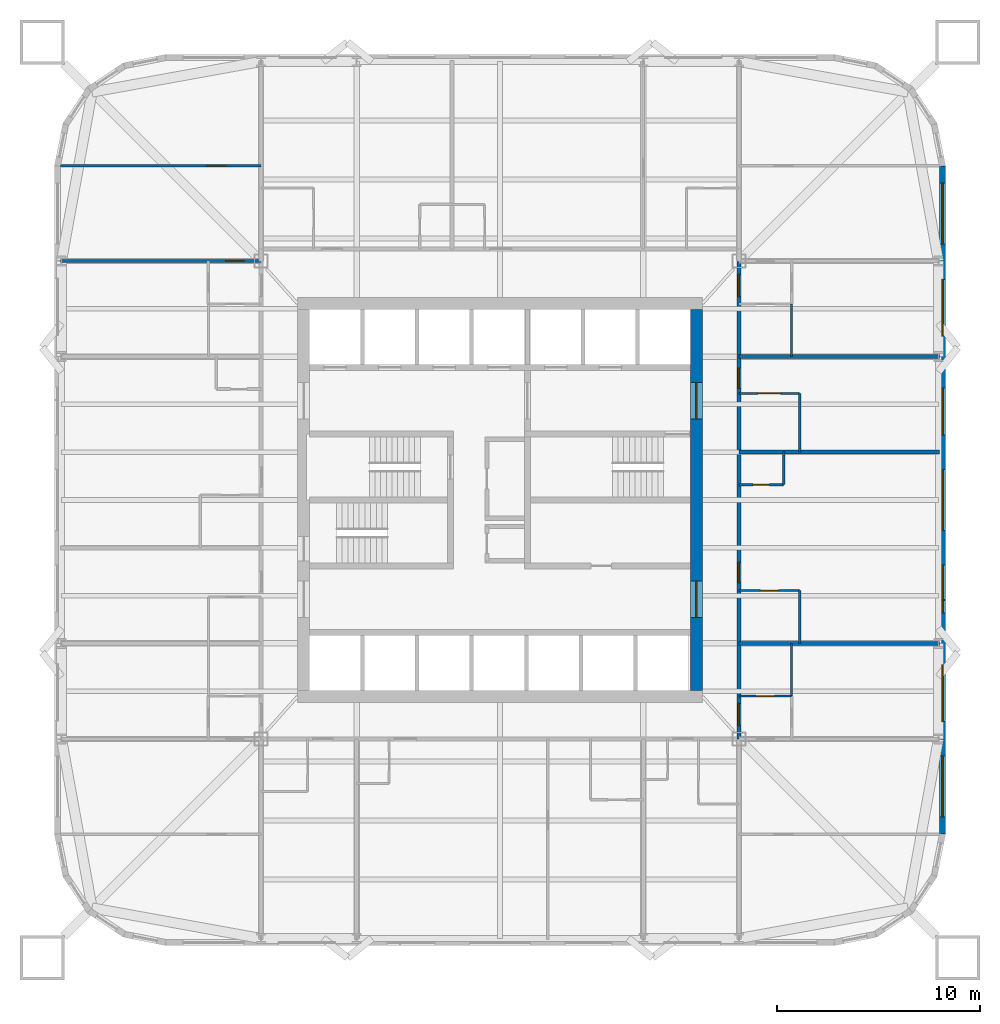
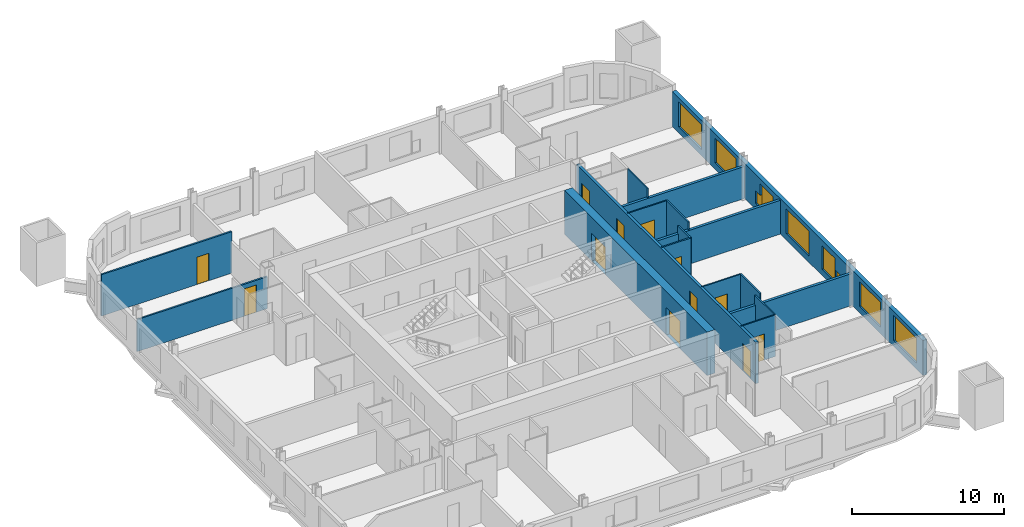
# One storey, part 6 of 10: 17 walls, 12 doors, 9 windows, 21 openings.
"""IFC4 building model written with IfcOpenShell, lengths in metres."""

from ifc_helpers import new_model, si_unit, direction, frame, frame_2d, origin, place, context, subcontext, project, spatial, rectangle, extrude, material, layer, layer_set, type_object, element, fill, save


model = new_model("IFC4")

# Units and contexts
model_context = context("Model", 3, precision=1e-05, world=origin(), true_north=direction((0.0, 1.0)))
body_context = subcontext(model_context, "Body", "Model", "MODEL_VIEW")
ifc_project = project(units=[si_unit("LENGTHUNIT", "METRE"), si_unit("AREAUNIT", "SQUARE_METRE"), si_unit("VOLUMEUNIT", "CUBIC_METRE"), si_unit("PLANEANGLEUNIT", "RADIAN"), si_unit("MASSUNIT", "GRAM", prefix="KILO")], contexts=[model_context])

# Site, building, storey
site_placement = place(None, origin())
site = spatial("IfcSite", under=ifc_project, at=site_placement, CompositionType="ELEMENT")
building_placement = place(site_placement, origin())
building = spatial("IfcBuilding", under=site, at=building_placement, Name="Turquesa Mirador Hotel Tower", CompositionType="ELEMENT")
storey_placement = place(building_placement, frame((0.0, 0.0, 46.0)))
storey = spatial("IfcBuildingStorey", under=building, at=storey_placement, Name="L11", CompositionType="ELEMENT", Elevation=46.0)

# Wall, opening, door
ifc_material_1 = material(Name="Gypsum board on steel studs", Category="steel")
ifc_layer_1 = layer(ifc_material_1, 0.10009765625)
ifc_layer_set_1 = layer_set([ifc_layer_1], Name="BATHROOM WALL 100")
wall_type_1 = type_object("IfcWallType", Name="BATHROOM WALL 100", PredefinedType="PARTITIONING", material=ifc_layer_set_1)
wall_1_placement = place(storey_placement, frame((66.800048828125, 40.52001953125, 0.0), z_axis=(0.0, 0.0, 1.0), x_axis=(1.0, 0.0, 0.0)))
wall_1 = element("IfcWall", 1, at=wall_1_placement, inside=storey, type_object=wall_type_1, Name="Partition L11 012", PredefinedType="PARTITIONING", context=body_context, shape_type="SweptSolid", body=[
    extrude(rectangle(XDim=3.0, YDim=0.10009765625, at=frame_2d((1.5, 0.0))), origin(), (0.0, 0.0, 1.0), 3.330078125),
])
opening_1_placement = place(wall_1_placement, frame((1.050048828125, 0.0, 0.0)))
opening_1 = element("IfcOpeningElement", 2, at=opening_1_placement, cuts=wall_1, Name="Opening D02", PredefinedType="OPENING", context=body_context, shape_type="SweptSolid", body=[
    extrude(rectangle(XDim=0.89990234375, YDim=2.10009765625, at=frame_2d((0.449951171875, 1.050048828125))), frame((0.0, 0.06005859375, 0.0), z_axis=(0.0, -1.0, 0.0), x_axis=(1.0, 0.0, 0.0)), (0.0, 0.0, 1.0), 0.1201171875),
])
ifc_material_2 = material(Name="Timber veneered door", Category="wood")
door_type_1 = type_object("IfcDoorType", Name="DOOR 900X2100 EN-SUITE", OperationType="SINGLE_SWING_RIGHT", PredefinedType="DOOR", material=ifc_material_2)
door_1_placement = place(opening_1_placement, origin())
door_1 = element("IfcDoor", 3, at=door_1_placement, inside=storey, type_object=door_type_1, Name="Door 1106B", OperationType="SINGLE_SWING_RIGHT", OverallHeight=2.10009765625, OverallWidth=0.89990234375, PredefinedType="DOOR", context=body_context, shape_type="SweptSolid", body=[
    extrude(rectangle(XDim=0.89990234375, YDim=2.10009765625, at=frame_2d((0.449951171875, 1.050048828125))), frame((0.0, 0.02490234375, 0.0), z_axis=(0.0, -1.0, 0.0), x_axis=(1.0, 0.0, 0.0)), (0.0, 0.0, 1.0), 0.050048828125),
])
fill(opening_1, door_1)

wall_2_placement = place(storey_placement, frame((66.800048828125, 35.320068359375, 0.0), z_axis=(0.0, 0.0, 1.0), x_axis=(1.0, 0.0, 0.0)))
wall_2 = element("IfcWall", 4, at=wall_2_placement, inside=storey, type_object=wall_type_1, Name="Partition L11 017", PredefinedType="PARTITIONING", context=body_context, shape_type="SweptSolid", body=[
    extrude(rectangle(XDim=2.599853515625, YDim=0.10009765625, at=frame_2d((1.2998046875, 0.0))), origin(), (0.0, 0.0, 1.0), 3.330078125),
])
opening_2_placement = place(wall_2_placement, frame((0.85009765625, 0.0, 0.0)))
opening_2 = element("IfcOpeningElement", 5, at=opening_2_placement, cuts=wall_2, Name="Opening D02", PredefinedType="OPENING", context=body_context, shape_type="SweptSolid", body=[
    extrude(rectangle(XDim=0.89990234375, YDim=2.10009765625, at=frame_2d((0.449951171875, 1.050048828125))), frame((0.0, 0.06005859375, 0.0), z_axis=(0.0, -1.0, 0.0), x_axis=(1.0, 0.0, 0.0)), (0.0, 0.0, 1.0), 0.1201171875),
])
door_2_placement = place(opening_2_placement, origin())
door_2 = element("IfcDoor", 6, at=door_2_placement, inside=storey, type_object=door_type_1, Name="Door 1113B", OperationType="SINGLE_SWING_RIGHT", OverallHeight=2.10009765625, OverallWidth=0.89990234375, PredefinedType="DOOR", context=body_context, shape_type="SweptSolid", body=[
    extrude(rectangle(XDim=0.89990234375, YDim=2.10009765625, at=frame_2d((0.449951171875, 1.050048828125))), frame((0.0, 0.02490234375, 0.0), z_axis=(0.0, -1.0, 0.0), x_axis=(1.0, 0.0, 0.0)), (0.0, 0.0, 1.0), 0.050048828125),
])
fill(opening_2, door_2)

wall_3_placement = place(storey_placement, frame((66.800048828125, 50.260009765625, 0.0), z_axis=(0.0, 0.0, 1.0), x_axis=(1.0, 0.0, 0.0)))
wall_3 = element("IfcWall", 7, at=wall_3_placement, inside=storey, type_object=wall_type_1, Name="Partition L11 030", PredefinedType="PARTITIONING", context=body_context, shape_type="SweptSolid", body=[
    extrude(rectangle(XDim=3.0, YDim=0.10009765625, at=frame_2d((1.5, 0.0))), origin(), (0.0, 0.0, 1.0), 3.330078125),
])
opening_3_placement = place(wall_3_placement, frame((0.949951171875, 0.0, 0.0)))
opening_3 = element("IfcOpeningElement", 8, at=opening_3_placement, cuts=wall_3, Name="Opening D16", PredefinedType="OPENING", context=body_context, shape_type="SweptSolid", body=[
    extrude(rectangle(XDim=1.10009765625, YDim=2.10009765625, at=frame_2d((0.550048828125, 1.050048828125))), frame((0.0, 0.06005859375, 0.0), z_axis=(0.0, -1.0, 0.0), x_axis=(1.0, 0.0, 0.0)), (0.0, 0.0, 1.0), 0.1201171875),
])
ifc_material_3 = material(Name="Timber veneered sliding door", Category="wood")
door_type_2 = type_object("IfcDoorType", Name="DOOR 1100X2100 ACCESSIBLE EN-SUITE", OperationType="SLIDING_TO_LEFT", PredefinedType="DOOR", material=ifc_material_3)
door_3_placement = place(opening_3_placement, origin())
door_3 = element("IfcDoor", 9, at=door_3_placement, inside=storey, type_object=door_type_2, Name="Door 1107B", OperationType="SLIDING_TO_LEFT", OverallHeight=2.10009765625, OverallWidth=1.10009765625, PredefinedType="DOOR", context=body_context, shape_type="SweptSolid", body=[
    extrude(rectangle(XDim=1.10009765625, YDim=2.10009765625, at=frame_2d((0.550048828125, 1.050048828125))), frame((0.0, 0.02490234375, 0.0), z_axis=(0.0, -1.0, 0.0), x_axis=(1.0, 0.0, 0.0)), (0.0, 0.0, 1.0), 0.050048828125),
])
fill(opening_3, door_3)

# Walls
for number, where, z_axis, x_axis, name in (
    (10, (69.39990234375, 35.320068359375, 0.0), (0.0, 0.0, 1.0), (0.0, 1.0, 0.0), "Partition L11 056"),
    (11, (69.39990234375, 52.080078125, 0.0), (0.0, 0.0, 1.0), (0.0, 1.0, 0.0), "Partition L11 057"),
):
    element("IfcWall", number, at=place(storey_placement, frame(where, z_axis=z_axis, x_axis=x_axis)), inside=storey, type_object=wall_type_1, Name=name, PredefinedType="PARTITIONING", context=body_context, shape_type="SweptSolid", body=[
        extrude(rectangle(XDim=2.599853515625, YDim=0.10009765625, at=frame_2d((1.2998046875, 0.0))), origin(), (0.0, 0.0, 1.0), 3.330078125),
    ])
wall_4_placement = place(storey_placement, frame((69.800048828125, 37.919921875, 0.0), z_axis=(0.0, 0.0, 1.0), x_axis=(0.0, 1.0, 0.0)))
element("IfcWall", 12, at=wall_4_placement, inside=storey, type_object=wall_type_1, Name="Partition L11 060", PredefinedType="PARTITIONING", context=body_context, shape_type="SweptSolid", body=[
    extrude(rectangle(XDim=2.60009765625, YDim=0.10009765625, at=frame_2d((1.300048828125, 0.0))), origin(), (0.0, 0.0, 1.0), 3.330078125),
])
wall_5_placement = place(storey_placement, frame((69.800048828125, 47.360107421875, 0.0), z_axis=(0.0, 0.0, 1.0), x_axis=(0.0, 1.0, 0.0)))
element("IfcWall", 13, at=wall_5_placement, inside=storey, type_object=wall_type_1, Name="Partition L11 061", PredefinedType="PARTITIONING", context=body_context, shape_type="SweptSolid", body=[
    extrude(rectangle(XDim=2.89990234375, YDim=0.10009765625, at=frame_2d((1.449951171875, 0.0))), origin(), (0.0, 0.0, 1.0), 3.330078125),
])

# Wall, openings, doors
ifc_material_4 = material(Name="Concrete C50/60", Category="concrete")
ifc_layer_2 = layer(ifc_material_4, 0.60009765625)
ifc_layer_set_2 = layer_set([ifc_layer_2], Name="CORE WALL 600")
wall_type_2 = type_object("IfcWallType", Name="CORE WALL 600", PredefinedType="SHEAR", material=ifc_layer_set_2)
wall_6_placement = place(storey_placement, frame((64.699951171875, 35.60009765625, 0.0), z_axis=(0.0, 0.0, 1.0), x_axis=(0.0, 1.0, 0.0)))
wall_6 = element("IfcWall", 14, at=wall_6_placement, inside=storey, type_object=wall_type_2, Name="Core wall E", PredefinedType="SHEAR", context=body_context, shape_type="SweptSolid", body=[
    extrude(rectangle(XDim=18.7998046875, YDim=0.60009765625, at=frame_2d((9.39990234375, 0.0))), origin(), (0.0, 0.0, 1.0), 3.5),
])
opening_4_placement = place(wall_6_placement, frame((13.39990234375, 0.0, 0.0)))
opening_4 = element("IfcOpeningElement", 15, at=opening_4_placement, cuts=wall_6, Name="Opening D04", PredefinedType="OPENING", context=body_context, shape_type="SweptSolid", body=[
    extrude(rectangle(XDim=1.800048828125, YDim=2.199951171875, at=frame_2d((0.89990234375, 1.10009765625))), frame((0.0, 0.31005859375, 0.0), z_axis=(0.0, -1.0, 0.0), x_axis=(1.0, 0.0, 0.0)), (0.0, 0.0, 1.0), 0.6201171875),
])
opening_5_placement = place(wall_6_placement, frame((3.60009765625, 0.0, 0.0)))
opening_5 = element("IfcOpeningElement", 16, at=opening_5_placement, cuts=wall_6, Name="Opening D04", PredefinedType="OPENING", context=body_context, shape_type="SweptSolid", body=[
    extrude(rectangle(XDim=1.800048828125, YDim=2.199951171875, at=frame_2d((0.89990234375, 1.10009765625))), frame((0.0, 0.31005859375, 0.0), z_axis=(0.0, -1.0, 0.0), x_axis=(1.0, 0.0, 0.0)), (0.0, 0.0, 1.0), 0.6201171875),
])
ifc_material_5 = material(Name="Steel fire door pair", Category="steel")
door_type_3 = type_object("IfcDoorType", Name="DOOR 1800X2200 PAIR", OperationType="DOUBLE_DOOR_SINGLE_SWING", PredefinedType="DOOR", material=ifc_material_5)
door_4_placement = place(opening_4_placement, origin())
door_4 = element("IfcDoor", 17, at=door_4_placement, inside=storey, type_object=door_type_3, Name="Firefighting lobby door", OperationType="DOUBLE_DOOR_SINGLE_SWING", OverallHeight=2.199951171875, OverallWidth=1.800048828125, PredefinedType="DOOR", context=body_context, shape_type="SweptSolid", body=[
    extrude(rectangle(XDim=1.800048828125, YDim=2.199951171875, at=frame_2d((0.89990234375, 1.10009765625))), frame((0.0, 0.02490234375, 0.0), z_axis=(0.0, -1.0, 0.0), x_axis=(1.0, 0.0, 0.0)), (0.0, 0.0, 1.0), 0.050048828125),
])
fill(opening_4, door_4)
door_5_placement = place(opening_5_placement, origin())
door_5 = element("IfcDoor", 18, at=door_5_placement, inside=storey, type_object=door_type_3, Name="South lift lobby door", OperationType="DOUBLE_DOOR_SINGLE_SWING", OverallHeight=2.199951171875, OverallWidth=1.800048828125, PredefinedType="DOOR", context=body_context, shape_type="SweptSolid", body=[
    extrude(rectangle(XDim=1.800048828125, YDim=2.199951171875, at=frame_2d((0.89990234375, 1.10009765625))), frame((0.0, 0.02490234375, 0.0), z_axis=(0.0, -1.0, 0.0), x_axis=(1.0, 0.0, 0.0)), (0.0, 0.0, 1.0), 0.050048828125),
])
fill(opening_5, door_5)

ifc_material_6 = material(Name="Fire-rated gypsum board on steel studs", Category="steel")
ifc_layer_3 = layer(ifc_material_6, 0.199951171875)
ifc_layer_set_3 = layer_set([ifc_layer_3], Name="CORRIDOR WALL 200")
wall_type_3 = type_object("IfcWallType", Name="CORRIDOR WALL 200", PredefinedType="PARTITIONING", material=ifc_layer_set_3)
wall_7_placement = place(storey_placement, frame((66.800048828125, 33.199951171875, 0.0), z_axis=(0.0, 0.0, 1.0), x_axis=(0.0, 1.0, 0.0)))
wall_7 = element("IfcWall", 19, at=wall_7_placement, inside=storey, type_object=wall_type_3, Name="Partition L11 052", PredefinedType="PARTITIONING", context=body_context, shape_type="SweptSolid", body=[
    extrude(rectangle(XDim=23.580078125, YDim=0.199951171875, at=frame_2d((11.7900390625, 0.0))), origin(), (0.0, 0.0, 1.0), 3.330078125),
])
opening_6_placement = place(wall_7_placement, frame((7.719970703125, 0.0, 0.0)))
opening_6 = element("IfcOpeningElement", 20, at=opening_6_placement, cuts=wall_7, Name="Opening D01", PredefinedType="OPENING", context=body_context, shape_type="SweptSolid", body=[
    extrude(rectangle(XDim=1.0, YDim=2.199951171875, at=frame_2d((0.5, 1.10009765625))), frame((0.0, 0.10986328125, 0.0), z_axis=(0.0, -1.0, 0.0), x_axis=(1.0, 0.0, 0.0)), (0.0, 0.0, 1.0), 0.219970703125),
])
opening_7_placement = place(wall_7_placement, frame((17.31005859375, 0.0, 0.0)))
opening_7 = element("IfcOpeningElement", 21, at=opening_7_placement, cuts=wall_7, Name="Opening D01", PredefinedType="OPENING", context=body_context, shape_type="SweptSolid", body=[
    extrude(rectangle(XDim=1.0, YDim=2.199951171875, at=frame_2d((0.5, 1.10009765625))), frame((0.0, 0.10986328125, 0.0), z_axis=(0.0, -1.0, 0.0), x_axis=(1.0, 0.0, 0.0)), (0.0, 0.0, 1.0), 0.219970703125),
])
opening_8_placement = place(wall_7_placement, frame((21.840087890625, 0.0, 0.0)))
opening_8 = element("IfcOpeningElement", 22, at=opening_8_placement, cuts=wall_7, Name="Opening D15", PredefinedType="OPENING", context=body_context, shape_type="SweptSolid", body=[
    extrude(rectangle(XDim=1.10009765625, YDim=2.199951171875, at=frame_2d((0.550048828125, 1.10009765625))), frame((0.0, 0.10986328125, 0.0), z_axis=(0.0, -1.0, 0.0), x_axis=(1.0, 0.0, 0.0)), (0.0, 0.0, 1.0), 0.219970703125),
])
opening_9_placement = place(wall_7_placement, frame((0.659912109375, 0.0, 0.0)))
opening_9 = element("IfcOpeningElement", 23, at=opening_9_placement, cuts=wall_7, Name="Opening D15", PredefinedType="OPENING", context=body_context, shape_type="SweptSolid", body=[
    extrude(rectangle(XDim=1.10009765625, YDim=2.199951171875, at=frame_2d((0.550048828125, 1.10009765625))), frame((0.0, 0.10986328125, 0.0), z_axis=(0.0, -1.0, 0.0), x_axis=(1.0, 0.0, 0.0)), (0.0, 0.0, 1.0), 0.219970703125),
])
ifc_material_7 = material(Name="Timber veneered fire door", Category="wood")
door_type_4 = type_object("IfcDoorType", Name="DOOR 1000X2200 GUEST ENTRY", OperationType="SINGLE_SWING_LEFT", PredefinedType="DOOR", material=ifc_material_7)
door_6_placement = place(opening_6_placement, origin())
door_6 = element("IfcDoor", 24, at=door_6_placement, inside=storey, type_object=door_type_4, Name="Door 1106", OperationType="SINGLE_SWING_LEFT", OverallHeight=2.199951171875, OverallWidth=1.0, PredefinedType="DOOR", context=body_context, shape_type="SweptSolid", body=[
    extrude(rectangle(XDim=1.0, YDim=2.199951171875, at=frame_2d((0.5, 1.10009765625))), frame((0.0, 0.02490234375, 0.0), z_axis=(0.0, -1.0, 0.0), x_axis=(1.0, 0.0, 0.0)), (0.0, 0.0, 1.0), 0.050048828125),
])
fill(opening_6, door_6)
door_7_placement = place(opening_7_placement, origin())
door_7 = element("IfcDoor", 25, at=door_7_placement, inside=storey, type_object=door_type_4, Name="Door 1107", OperationType="SINGLE_SWING_LEFT", OverallHeight=2.199951171875, OverallWidth=1.0, PredefinedType="DOOR", context=body_context, shape_type="SweptSolid", body=[
    extrude(rectangle(XDim=1.0, YDim=2.199951171875, at=frame_2d((0.5, 1.10009765625))), frame((0.0, 0.02490234375, 0.0), z_axis=(0.0, -1.0, 0.0), x_axis=(1.0, 0.0, 0.0)), (0.0, 0.0, 1.0), 0.050048828125),
])
fill(opening_7, door_7)
ifc_material_8 = material(Name="Timber veneered fire door", Category="wood")
door_type_5 = type_object("IfcDoorType", Name="DOOR 1100X2200 SUITE ENTRY", OperationType="SINGLE_SWING_LEFT", PredefinedType="DOOR", material=ifc_material_8)
door_8_placement = place(opening_8_placement, origin())
door_8 = element("IfcDoor", 26, at=door_8_placement, inside=storey, type_object=door_type_5, Name="Door 1110H", OperationType="SINGLE_SWING_LEFT", OverallHeight=2.199951171875, OverallWidth=1.10009765625, PredefinedType="DOOR", context=body_context, shape_type="SweptSolid", body=[
    extrude(rectangle(XDim=1.10009765625, YDim=2.199951171875, at=frame_2d((0.550048828125, 1.10009765625))), frame((0.0, 0.02490234375, 0.0), z_axis=(0.0, -1.0, 0.0), x_axis=(1.0, 0.0, 0.0)), (0.0, 0.0, 1.0), 0.050048828125),
])
fill(opening_8, door_8)
door_9_placement = place(opening_9_placement, origin())
door_9 = element("IfcDoor", 27, at=door_9_placement, inside=storey, type_object=door_type_5, Name="Door 1113H", OperationType="SINGLE_SWING_LEFT", OverallHeight=2.199951171875, OverallWidth=1.10009765625, PredefinedType="DOOR", context=body_context, shape_type="SweptSolid", body=[
    extrude(rectangle(XDim=1.10009765625, YDim=2.199951171875, at=frame_2d((0.550048828125, 1.10009765625))), frame((0.0, 0.02490234375, 0.0), z_axis=(0.0, -1.0, 0.0), x_axis=(1.0, 0.0, 0.0)), (0.0, 0.0, 1.0), 0.050048828125),
])
fill(opening_9, door_9)

# Wall, openings, windows
ifc_material_9 = material(Name="Limestone cladding on concrete block", Category="masonry")
ifc_layer_4 = layer(ifc_material_9, 0.300048828125)
ifc_layer_set_4 = layer_set([ifc_layer_4], Name="FACADE WALL 300 STONE SCREEN")
wall_type_4 = type_object("IfcWallType", Name="FACADE WALL 300 STONE SCREEN", PredefinedType="SOLIDWALL", material=ifc_layer_set_4)
wall_8_placement = place(storey_placement, frame((76.85009765625, 28.5, 0.0), z_axis=(0.0, 0.0, 1.0), x_axis=(0.0, 1.0, 0.0)))
wall_8 = element("IfcWall", 28, at=wall_8_placement, inside=storey, type_object=wall_type_4, Name="Facade wall L11 04", PredefinedType="SOLIDWALL", context=body_context, shape_type="SweptSolid", body=[
    extrude(rectangle(XDim=33.0, YDim=0.300048828125, at=frame_2d((16.5, 0.0))), origin(), (0.0, 0.0, 1.0), 2.830078125),
])
opening_10_placement = place(wall_8_placement, frame((0.85009765625, 0.0, 0.5)))
opening_10 = element("IfcOpeningElement", 29, at=opening_10_placement, cuts=wall_8, Name="Opening WN1", PredefinedType="OPENING", context=body_context, shape_type="SweptSolid", body=[
    extrude(rectangle(XDim=3.0, YDim=2.0, at=frame_2d((1.5, 1.0))), frame((0.0, 0.159912109375, 0.0), z_axis=(0.0, -1.0, 0.0), x_axis=(1.0, 0.0, 0.0)), (0.0, 0.0, 1.0), 0.320068359375),
])
opening_11_placement = place(wall_8_placement, frame((5.56005859375, 0.0, 0.5)))
opening_11 = element("IfcOpeningElement", 30, at=opening_11_placement, cuts=wall_8, Name="Opening WN53", PredefinedType="OPENING", context=body_context, shape_type="SweptSolid", body=[
    extrude(rectangle(XDim=2.800048828125, YDim=2.0, at=frame_2d((1.39990234375, 1.0))), frame((0.0, 0.159912109375, 0.0), z_axis=(0.0, -1.0, 0.0), x_axis=(1.0, 0.0, 0.0)), (0.0, 0.0, 1.0), 0.320068359375),
])
opening_12_placement = place(wall_8_placement, frame((11.580078125, 0.0, 0.5)))
opening_12 = element("IfcOpeningElement", 31, at=opening_12_placement, cuts=wall_8, Name="Opening WN46", PredefinedType="OPENING", context=body_context, shape_type="SweptSolid", body=[
    extrude(rectangle(XDim=1.699951171875, YDim=1.89990234375, at=frame_2d((0.85009765625, 0.949951171875))), frame((0.0, 0.159912109375, 0.0), z_axis=(0.0, -1.0, 0.0), x_axis=(1.0, 0.0, 0.0)), (0.0, 0.0, 1.0), 0.320068359375),
])
opening_13_placement = place(wall_8_placement, frame((15.0, 0.0, 0.5)))
opening_13 = element("IfcOpeningElement", 32, at=opening_13_placement, cuts=wall_8, Name="Opening WN1", PredefinedType="OPENING", context=body_context, shape_type="SweptSolid", body=[
    extrude(rectangle(XDim=3.0, YDim=2.0, at=frame_2d((1.5, 1.0))), frame((0.0, 0.159912109375, 0.0), z_axis=(0.0, -1.0, 0.0), x_axis=(1.0, 0.0, 0.0)), (0.0, 0.0, 1.0), 0.320068359375),
])
opening_14_placement = place(wall_8_placement, frame((19.719970703125, 0.0, 0.5)))
opening_14 = element("IfcOpeningElement", 33, at=opening_14_placement, cuts=wall_8, Name="Opening WN46", PredefinedType="OPENING", context=body_context, shape_type="SweptSolid", body=[
    extrude(rectangle(XDim=1.699951171875, YDim=1.89990234375, at=frame_2d((0.85009765625, 0.949951171875))), frame((0.0, 0.159912109375, 0.0), z_axis=(0.0, -1.0, 0.0), x_axis=(1.0, 0.0, 0.0)), (0.0, 0.0, 1.0), 0.320068359375),
])
opening_15_placement = place(wall_8_placement, frame((24.590087890625, 0.0, 0.5)))
opening_15 = element("IfcOpeningElement", 34, at=opening_15_placement, cuts=wall_8, Name="Opening WN53", PredefinedType="OPENING", context=body_context, shape_type="SweptSolid", body=[
    extrude(rectangle(XDim=2.800048828125, YDim=2.0, at=frame_2d((1.39990234375, 1.0))), frame((0.0, 0.159912109375, 0.0), z_axis=(0.0, -1.0, 0.0), x_axis=(1.0, 0.0, 0.0)), (0.0, 0.0, 1.0), 0.320068359375),
])
opening_16_placement = place(wall_8_placement, frame((29.14990234375, 0.0, 0.5)))
opening_16 = element("IfcOpeningElement", 35, at=opening_16_placement, cuts=wall_8, Name="Opening WN1", PredefinedType="OPENING", context=body_context, shape_type="SweptSolid", body=[
    extrude(rectangle(XDim=3.0, YDim=2.0, at=frame_2d((1.5, 1.0))), frame((0.0, 0.159912109375, 0.0), z_axis=(0.0, -1.0, 0.0), x_axis=(1.0, 0.0, 0.0)), (0.0, 0.0, 1.0), 0.320068359375),
])
opening_17_placement = place(wall_8_placement, frame((10.929931640625, 0.0, 0.5)))
opening_17 = element("IfcOpeningElement", 36, at=opening_17_placement, cuts=wall_8, Name="Opening WN29", PredefinedType="OPENING", context=body_context, shape_type="SweptSolid", body=[
    extrude(rectangle(XDim=0.60009765625, YDim=1.0, at=frame_2d((0.300048828125, 0.5))), frame((0.0, 0.159912109375, 0.0), z_axis=(0.0, -1.0, 0.0), x_axis=(1.0, 0.0, 0.0)), (0.0, 0.0, 1.0), 0.320068359375),
])
opening_18_placement = place(wall_8_placement, frame((21.419921875, 0.0, 0.5)))
opening_18 = element("IfcOpeningElement", 37, at=opening_18_placement, cuts=wall_8, Name="Opening WN29", PredefinedType="OPENING", context=body_context, shape_type="SweptSolid", body=[
    extrude(rectangle(XDim=0.60009765625, YDim=1.0, at=frame_2d((0.300048828125, 0.5))), frame((0.0, 0.159912109375, 0.0), z_axis=(0.0, -1.0, 0.0), x_axis=(1.0, 0.0, 0.0)), (0.0, 0.0, 1.0), 0.320068359375),
])
ifc_material_10 = material(Name="Ceramic-fritted laminated glass", Category="glass")
window_type_1 = type_object("IfcWindowType", Name="FRITTED WINDOW 1700X1900", PartitioningType="DOUBLE_PANEL_HORIZONTAL", PredefinedType="WINDOW", material=ifc_material_10)
window_1_placement = place(opening_12_placement, origin())
window_1 = element("IfcWindow", 38, at=window_1_placement, inside=storey, type_object=window_type_1, Name="Window L11", OverallHeight=1.89990234375, OverallWidth=1.699951171875, PartitioningType="SINGLE_PANEL", PredefinedType="WINDOW", context=body_context, shape_type="SweptSolid", body=[
    extrude(rectangle(XDim=1.699951171875, YDim=1.89990234375, at=frame_2d((0.85009765625, 0.949951171875))), frame((0.0, 0.030029296875, 0.0), z_axis=(0.0, -1.0, 0.0), x_axis=(1.0, 0.0, 0.0)), (0.0, 0.0, 1.0), 0.06005859375),
])
fill(opening_12, window_1)
window_2_placement = place(opening_14_placement, origin())
window_2 = element("IfcWindow", 39, at=window_2_placement, inside=storey, type_object=window_type_1, Name="Window L11", OverallHeight=1.89990234375, OverallWidth=1.699951171875, PartitioningType="SINGLE_PANEL", PredefinedType="WINDOW", context=body_context, shape_type="SweptSolid", body=[
    extrude(rectangle(XDim=1.699951171875, YDim=1.89990234375, at=frame_2d((0.85009765625, 0.949951171875))), frame((0.0, 0.030029296875, 0.0), z_axis=(0.0, -1.0, 0.0), x_axis=(1.0, 0.0, 0.0)), (0.0, 0.0, 1.0), 0.06005859375),
])
fill(opening_14, window_2)
ifc_material_11 = material(Name="Ceramic-fritted laminated glass", Category="glass")
window_type_2 = type_object("IfcWindowType", Name="FRITTED WINDOW 2800X2000", PartitioningType="DOUBLE_PANEL_HORIZONTAL", PredefinedType="WINDOW", material=ifc_material_11)
window_3_placement = place(opening_11_placement, origin())
window_3 = element("IfcWindow", 40, at=window_3_placement, inside=storey, type_object=window_type_2, Name="Window L11", OverallHeight=2.0, OverallWidth=2.800048828125, PartitioningType="SINGLE_PANEL", PredefinedType="WINDOW", context=body_context, shape_type="SweptSolid", body=[
    extrude(rectangle(XDim=2.800048828125, YDim=2.0, at=frame_2d((1.39990234375, 1.0))), frame((0.0, 0.030029296875, 0.0), z_axis=(0.0, -1.0, 0.0), x_axis=(1.0, 0.0, 0.0)), (0.0, 0.0, 1.0), 0.06005859375),
])
fill(opening_11, window_3)
window_4_placement = place(opening_15_placement, origin())
window_4 = element("IfcWindow", 41, at=window_4_placement, inside=storey, type_object=window_type_2, Name="Window L11", OverallHeight=2.0, OverallWidth=2.800048828125, PartitioningType="SINGLE_PANEL", PredefinedType="WINDOW", context=body_context, shape_type="SweptSolid", body=[
    extrude(rectangle(XDim=2.800048828125, YDim=2.0, at=frame_2d((1.39990234375, 1.0))), frame((0.0, 0.030029296875, 0.0), z_axis=(0.0, -1.0, 0.0), x_axis=(1.0, 0.0, 0.0)), (0.0, 0.0, 1.0), 0.06005859375),
])
fill(opening_15, window_4)
ifc_material_12 = material(Name="Ceramic-fritted laminated glass", Category="glass")
window_type_3 = type_object("IfcWindowType", Name="FRITTED WINDOW 3000X2000", PartitioningType="DOUBLE_PANEL_HORIZONTAL", PredefinedType="WINDOW", material=ifc_material_12)
window_5_placement = place(opening_10_placement, origin())
window_5 = element("IfcWindow", 42, at=window_5_placement, inside=storey, type_object=window_type_3, Name="Window L11", OverallHeight=2.0, OverallWidth=3.0, PartitioningType="SINGLE_PANEL", PredefinedType="WINDOW", context=body_context, shape_type="SweptSolid", body=[
    extrude(rectangle(XDim=3.0, YDim=2.0, at=frame_2d((1.5, 1.0))), frame((0.0, 0.030029296875, 0.0), z_axis=(0.0, -1.0, 0.0), x_axis=(1.0, 0.0, 0.0)), (0.0, 0.0, 1.0), 0.06005859375),
])
fill(opening_10, window_5)
window_6_placement = place(opening_13_placement, origin())
window_6 = element("IfcWindow", 43, at=window_6_placement, inside=storey, type_object=window_type_3, Name="Window L11", OverallHeight=2.0, OverallWidth=3.0, PartitioningType="SINGLE_PANEL", PredefinedType="WINDOW", context=body_context, shape_type="SweptSolid", body=[
    extrude(rectangle(XDim=3.0, YDim=2.0, at=frame_2d((1.5, 1.0))), frame((0.0, 0.030029296875, 0.0), z_axis=(0.0, -1.0, 0.0), x_axis=(1.0, 0.0, 0.0)), (0.0, 0.0, 1.0), 0.06005859375),
])
fill(opening_13, window_6)
window_7_placement = place(opening_16_placement, origin())
window_7 = element("IfcWindow", 44, at=window_7_placement, inside=storey, type_object=window_type_3, Name="Window L11", OverallHeight=2.0, OverallWidth=3.0, PartitioningType="SINGLE_PANEL", PredefinedType="WINDOW", context=body_context, shape_type="SweptSolid", body=[
    extrude(rectangle(XDim=3.0, YDim=2.0, at=frame_2d((1.5, 1.0))), frame((0.0, 0.030029296875, 0.0), z_axis=(0.0, -1.0, 0.0), x_axis=(1.0, 0.0, 0.0)), (0.0, 0.0, 1.0), 0.06005859375),
])
fill(opening_16, window_7)
ifc_material_13 = material(Name="Ceramic-fritted laminated glass", Category="glass")
window_type_4 = type_object("IfcWindowType", Name="FRITTED WINDOW 600X1000", PartitioningType="DOUBLE_PANEL_HORIZONTAL", PredefinedType="WINDOW", material=ifc_material_13)
window_8_placement = place(opening_17_placement, origin())
window_8 = element("IfcWindow", 45, at=window_8_placement, inside=storey, type_object=window_type_4, Name="Window L11", OverallHeight=1.0, OverallWidth=0.60009765625, PartitioningType="SINGLE_PANEL", PredefinedType="WINDOW", context=body_context, shape_type="SweptSolid", body=[
    extrude(rectangle(XDim=0.60009765625, YDim=1.0, at=frame_2d((0.300048828125, 0.5))), frame((0.0, 0.030029296875, 0.0), z_axis=(0.0, -1.0, 0.0), x_axis=(1.0, 0.0, 0.0)), (0.0, 0.0, 1.0), 0.06005859375),
])
fill(opening_17, window_8)
window_9_placement = place(opening_18_placement, origin())
window_9 = element("IfcWindow", 46, at=window_9_placement, inside=storey, type_object=window_type_4, Name="Window L11", OverallHeight=1.0, OverallWidth=0.60009765625, PartitioningType="SINGLE_PANEL", PredefinedType="WINDOW", context=body_context, shape_type="SweptSolid", body=[
    extrude(rectangle(XDim=0.60009765625, YDim=1.0, at=frame_2d((0.300048828125, 0.5))), frame((0.0, 0.030029296875, 0.0), z_axis=(0.0, -1.0, 0.0), x_axis=(1.0, 0.0, 0.0)), (0.0, 0.0, 1.0), 0.06005859375),
])
fill(opening_18, window_9)

# Walls
ifc_material_14 = material(Name="Fire-rated gypsum board on steel studs", Category="steel")
ifc_layer_5 = layer(ifc_material_14, 0.199951171875)
ifc_layer_set_5 = layer_set([ifc_layer_5], Name="PARTY WALL 200")
wall_type_5 = type_object("IfcWallType", Name="PARTY WALL 200", PredefinedType="PARTITIONING", material=ifc_layer_set_5)
wall_9_placement = place(storey_placement, frame((66.800048828125, 37.919921875, 0.0), z_axis=(0.0, 0.0, 1.0), x_axis=(1.0, 0.0, 0.0)))
element("IfcWall", 47, at=wall_9_placement, inside=storey, type_object=wall_type_5, Name="Partition L11 015", PredefinedType="PARTITIONING", context=body_context, shape_type="SweptSolid", body=[
    extrude(rectangle(XDim=9.89990234375, YDim=0.199951171875, at=frame_2d((4.949951171875, 0.0))), origin(), (0.0, 0.0, 1.0), 2.572998046875),
])
wall_10_placement = place(storey_placement, frame((66.800048828125, 47.360107421875, 0.0), z_axis=(0.0, 0.0, 1.0), x_axis=(1.0, 0.0, 0.0)))
element("IfcWall", 48, at=wall_10_placement, inside=storey, type_object=wall_type_5, Name="Partition L11 029", PredefinedType="PARTITIONING", context=body_context, shape_type="SweptSolid", body=[
    extrude(rectangle(XDim=9.89990234375, YDim=0.199951171875, at=frame_2d((4.949951171875, 0.0))), origin(), (0.0, 0.0, 1.0), 2.722900390625),
])
wall_11_placement = place(storey_placement, frame((66.800048828125, 52.080078125, 0.0), z_axis=(0.0, 0.0, 1.0), x_axis=(1.0, 0.0, 0.0)))
element("IfcWall", 49, at=wall_11_placement, inside=storey, type_object=wall_type_5, Name="Partition L11 033", PredefinedType="PARTITIONING", context=body_context, shape_type="SweptSolid", body=[
    extrude(rectangle(XDim=9.89990234375, YDim=0.199951171875, at=frame_2d((4.949951171875, 0.0))), origin(), (0.0, 0.0, 1.0), 2.572998046875),
])

# Wall, opening, door
ifc_material_15 = material(Name="Acoustic gypsum board on steel studs", Category="steel")
ifc_layer_6 = layer(ifc_material_15, 0.125)
ifc_layer_set_6 = layer_set([ifc_layer_6], Name="SUITE PARTITION 125")
wall_type_6 = type_object("IfcWallType", Name="SUITE PARTITION 125", PredefinedType="PARTITIONING", material=ifc_layer_set_6)
wall_12_placement = place(storey_placement, frame((66.800048828125, 45.760009765625, 0.0), z_axis=(0.0, 0.0, 1.0), x_axis=(1.0, 0.0, 0.0)))
wall_12 = element("IfcWall", 50, at=wall_12_placement, inside=storey, type_object=wall_type_6, Name="Partition L11 019", PredefinedType="PARTITIONING", context=body_context, shape_type="SweptSolid", body=[
    extrude(rectangle(XDim=2.199951171875, YDim=0.125, at=frame_2d((1.10009765625, 0.0))), origin(), (0.0, 0.0, 1.0), 3.330078125),
])
opening_19_placement = place(wall_12_placement, frame((0.699951171875, 0.0, 0.0)))
opening_19 = element("IfcOpeningElement", 51, at=opening_19_placement, cuts=wall_12, Name="Opening D20", PredefinedType="OPENING", context=body_context, shape_type="SweptSolid", body=[
    extrude(rectangle(XDim=0.800048828125, YDim=2.10009765625, at=frame_2d((0.39990234375, 1.050048828125))), frame((0.0, 0.072509765625, 0.0), z_axis=(0.0, -1.0, 0.0), x_axis=(1.0, 0.0, 0.0)), (0.0, 0.0, 1.0), 0.14501953125),
])
ifc_material_16 = material(Name="Timber veneered sliding door", Category="wood")
door_type_6 = type_object("IfcDoorType", Name="DOOR 800X2100 WARDROBE", OperationType="SLIDING_TO_LEFT", PredefinedType="DOOR", material=ifc_material_16)
door_10_placement = place(opening_19_placement, origin())
door_10 = element("IfcDoor", 52, at=door_10_placement, inside=storey, type_object=door_type_6, Name="Door 1106W", OperationType="SLIDING_TO_LEFT", OverallHeight=2.10009765625, OverallWidth=0.800048828125, PredefinedType="DOOR", context=body_context, shape_type="SweptSolid", body=[
    extrude(rectangle(XDim=0.800048828125, YDim=2.10009765625, at=frame_2d((0.39990234375, 1.050048828125))), frame((0.0, 0.02490234375, 0.0), z_axis=(0.0, -1.0, 0.0), x_axis=(1.0, 0.0, 0.0)), (0.0, 0.0, 1.0), 0.050048828125),
])
fill(opening_19, door_10)

wall_13_placement = place(storey_placement, frame((33.300048828125, 56.800048828125, 0.0), z_axis=(0.0, 0.0, 1.0), x_axis=(1.0, 0.0, 0.0)))
wall_13 = element("IfcWall", 53, at=wall_13_placement, inside=storey, type_object=wall_type_6, Name="Partition L11 020", PredefinedType="PARTITIONING", context=body_context, shape_type="SweptSolid", body=[
    extrude(rectangle(XDim=9.89990234375, YDim=0.125, at=frame_2d((4.949951171875, 0.0))), origin(), (0.0, 0.0, 1.0), 2.572998046875),
])
opening_20_placement = place(wall_13_placement, frame((8.14990234375, 0.0, 0.0)))
opening_20 = element("IfcOpeningElement", 54, at=opening_20_placement, cuts=wall_13, Name="Opening D17", PredefinedType="OPENING", context=body_context, shape_type="SweptSolid", body=[
    extrude(rectangle(XDim=0.89990234375, YDim=2.199951171875, at=frame_2d((0.449951171875, 1.10009765625))), frame((0.0, 0.072509765625, 0.0), z_axis=(0.0, -1.0, 0.0), x_axis=(1.0, 0.0, 0.0)), (0.0, 0.0, 1.0), 0.14501953125),
])
ifc_material_17 = material(Name="Timber veneered door", Category="wood")
door_type_7 = type_object("IfcDoorType", Name="DOOR 900X2200 SUITE INTERNAL", OperationType="SINGLE_SWING_LEFT", PredefinedType="DOOR", material=ifc_material_17)
door_11_placement = place(opening_20_placement, origin())
door_11 = element("IfcDoor", 55, at=door_11_placement, inside=storey, type_object=door_type_7, Name="Door 1111", OperationType="SINGLE_SWING_LEFT", OverallHeight=2.199951171875, OverallWidth=0.89990234375, PredefinedType="DOOR", context=body_context, shape_type="SweptSolid", body=[
    extrude(rectangle(XDim=0.89990234375, YDim=2.199951171875, at=frame_2d((0.449951171875, 1.10009765625))), frame((0.0, 0.02490234375, 0.0), z_axis=(0.0, -1.0, 0.0), x_axis=(1.0, 0.0, 0.0)), (0.0, 0.0, 1.0), 0.050048828125),
])
fill(opening_20, door_11)

wall_14_placement = place(storey_placement, frame((33.305908203125, 61.5, 0.0), z_axis=(0.0, 0.0, 1.0), x_axis=(1.0, 0.0, 0.0)))
wall_14 = element("IfcWall", 56, at=wall_14_placement, inside=storey, type_object=wall_type_6, Name="Partition L11 027", PredefinedType="PARTITIONING", context=body_context, shape_type="SweptSolid", body=[
    extrude(rectangle(XDim=9.89404296875, YDim=0.125, at=frame_2d((4.947021484375, 0.0))), origin(), (0.0, 0.0, 1.0), 3.330078125),
])
opening_21_placement = place(wall_14_placement, frame((7.244140625, 0.0, 0.0)))
opening_21 = element("IfcOpeningElement", 57, at=opening_21_placement, cuts=wall_14, Name="Opening D17", PredefinedType="OPENING", context=body_context, shape_type="SweptSolid", body=[
    extrude(rectangle(XDim=0.89990234375, YDim=2.199951171875, at=frame_2d((0.449951171875, 1.10009765625))), frame((0.0, 0.072509765625, 0.0), z_axis=(0.0, -1.0, 0.0), x_axis=(1.0, 0.0, 0.0)), (0.0, 0.0, 1.0), 0.14501953125),
])
door_12_placement = place(opening_21_placement, origin())
door_12 = element("IfcDoor", 58, at=door_12_placement, inside=storey, type_object=door_type_7, Name="Door 1111M", OperationType="SINGLE_SWING_LEFT", OverallHeight=2.199951171875, OverallWidth=0.89990234375, PredefinedType="DOOR", context=body_context, shape_type="SweptSolid", body=[
    extrude(rectangle(XDim=0.89990234375, YDim=2.199951171875, at=frame_2d((0.449951171875, 1.10009765625))), frame((0.0, 0.02490234375, 0.0), z_axis=(0.0, -1.0, 0.0), x_axis=(1.0, 0.0, 0.0)), (0.0, 0.0, 1.0), 0.050048828125),
])
fill(opening_21, door_12)

# Wall
wall_15_placement = place(storey_placement, frame((69.0, 45.760009765625, 0.0), z_axis=(0.0, 0.0, 1.0), x_axis=(0.0, 1.0, 0.0)))
element("IfcWall", 59, at=wall_15_placement, inside=storey, type_object=wall_type_6, Name="Partition L11 055", PredefinedType="PARTITIONING", context=body_context, shape_type="SweptSolid", body=[
    extrude(rectangle(XDim=1.60009765625, YDim=0.125, at=frame_2d((0.800048828125, 0.0))), origin(), (0.0, 0.0, 1.0), 3.330078125),
])

save(model, "model.ifc")
